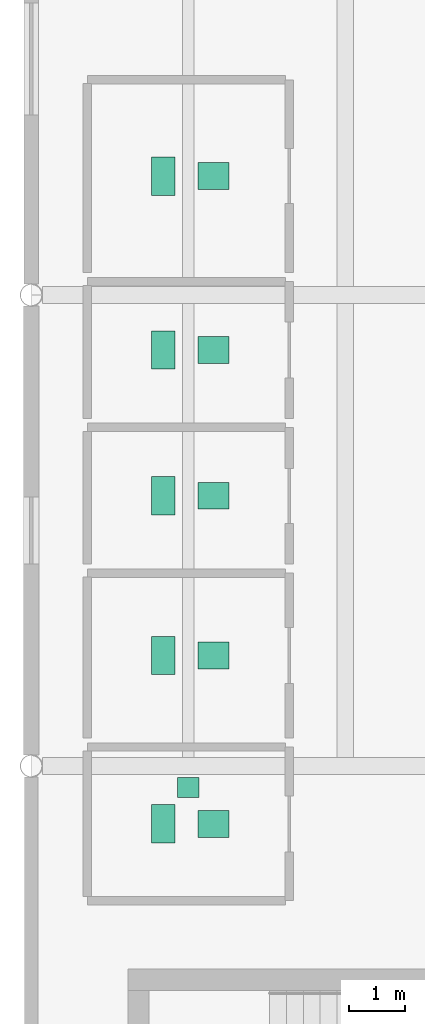
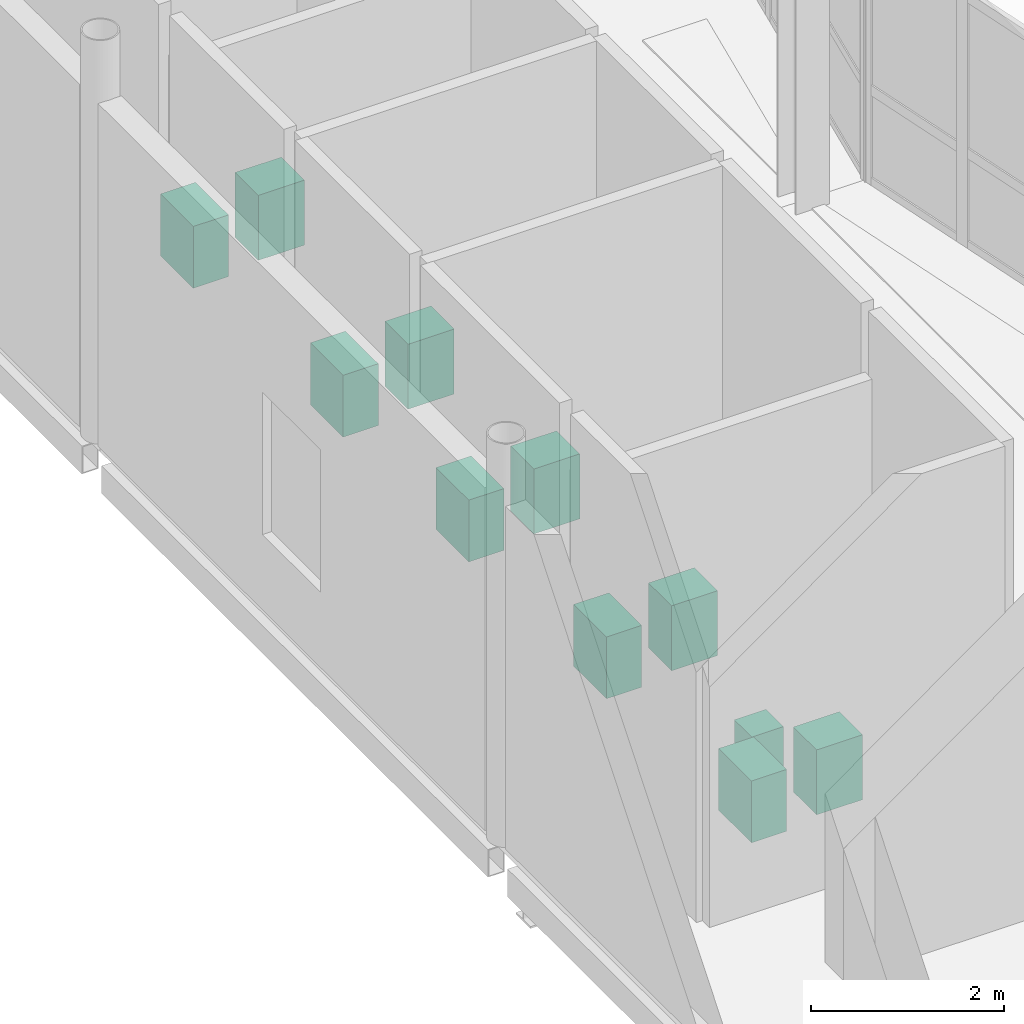
# One storey, part 102 of 103: 11 sanitary terminals.
"""IFC4 building model written with IfcOpenShell, lengths in metres."""

from ifc_helpers import new_model, si_unit, direction, frame, origin, origin_2d, place, context, subcontext, project, spatial, rectangle, extrude, material, type_object, element, save


model = new_model("IFC4")

# Units and contexts
model_context = context("Model", 3, precision=1e-05, world=origin(), true_north=direction((0.0, 1.0)))
body_context = subcontext(model_context, "Body", "Model", "MODEL_VIEW")
ifc_project = project(units=[si_unit("LENGTHUNIT", "METRE"), si_unit("AREAUNIT", "SQUARE_METRE"), si_unit("VOLUMEUNIT", "CUBIC_METRE"), si_unit("PLANEANGLEUNIT", "RADIAN"), si_unit("MASSUNIT", "GRAM", prefix="KILO"), si_unit("THERMODYNAMICTEMPERATUREUNIT", "KELVIN")], contexts=[model_context])

# Site, building, storey
site_placement = place(None, origin())
site = spatial("IfcSite", under=ifc_project, at=site_placement, CompositionType="ELEMENT")
building_placement = place(site_placement, origin())
building = spatial("IfcBuilding", under=site, at=building_placement, Name="Lustrewick Department Store", CompositionType="ELEMENT")
storey_placement = place(building_placement, frame((0.0, 0.0, 16.5)))
storey = spatial("IfcBuildingStorey", under=building, at=storey_placement, Name="L04", CompositionType="ELEMENT", Elevation=16.5)

# Sanitary terminals
ifc_material = material(Name="Glazed white vitreous china sanitaryware", Category="masonry")
sanitary_terminal_type_1 = type_object("IfcSanitaryTerminalType", Name="SAN-URI", PredefinedType="URINAL", material=ifc_material)
sanitary_terminal_placement = place(storey_placement, frame((11.199951171875, 58.419921875, 0.0), z_axis=(0.0, 0.0, 1.0), x_axis=(1.0, 0.0, 0.0)))
element("IfcSanitaryTerminal", 1, at=sanitary_terminal_placement, inside=storey, type_object=sanitary_terminal_type_1, Name="L04 Male Public WC Urinal", PredefinedType="URINAL", context=body_context, shape_type="SweptSolid", body=[
    extrude(rectangle(XDim=0.3798828125, YDim=0.360107421875, at=origin_2d()), origin(), (0.0, 0.0, 1.0), 0.679931640625),
])
sanitary_terminal_type_2 = type_object("IfcSanitaryTerminalType", Name="SAN-WC", PredefinedType="TOILETPAN", material=ifc_material)
for number, where, z_axis, x_axis, name in (
    (2, (10.75, 57.77001953125, 0.0), (0.0, 0.0, 1.0), (1.0, 0.0, 0.0), "L04 Male Public WC WC Pan"),
    (3, (10.75, 60.77001953125, 0.0), (0.0, 0.0, 1.0), (1.0, 0.0, 0.0), "L04 Female Public WC WC Pan"),
    (4, (10.75, 63.6201171875, 0.0), (0.0, 0.0, 1.0), (1.0, 0.0, 0.0), "L04 Accessible WC WC Pan"),
    (5, (10.75, 66.219970703125, 0.0), (0.0, 0.0, 1.0), (1.0, 0.0, 0.0), "L04 Staff WC WC Pan"),
    (6, (10.75, 69.320068359375, 0.0), (0.0, 0.0, 1.0), (1.0, 0.0, 0.0), "L04 Nursery Room WC Pan"),
):
    element("IfcSanitaryTerminal", number, at=place(storey_placement, frame(where, z_axis=z_axis, x_axis=x_axis)), inside=storey, type_object=sanitary_terminal_type_2, Name=name, PredefinedType="TOILETPAN", context=body_context, shape_type="SweptSolid", body=[
        extrude(rectangle(XDim=0.419921875, YDim=0.679931640625, at=origin_2d()), origin(), (0.0, 0.0, 1.0), 0.780029296875),
    ])
sanitary_terminal_type_3 = type_object("IfcSanitaryTerminalType", Name="SAN-WHB", PredefinedType="WASHHANDBASIN", material=ifc_material)
for number, where, z_axis, x_axis, name in (
    (7, (11.64990234375, 57.77001953125, 0.0), (0.0, 0.0, 1.0), (1.0, 0.0, 0.0), "L04 Male Public WC Washbasin"),
    (8, (11.64990234375, 60.77001953125, 0.0), (0.0, 0.0, 1.0), (1.0, 0.0, 0.0), "L04 Female Public WC Washbasin"),
    (9, (11.64990234375, 63.6201171875, 0.0), (0.0, 0.0, 1.0), (1.0, 0.0, 0.0), "L04 Accessible WC Washbasin"),
    (10, (11.64990234375, 66.219970703125, 0.0), (0.0, 0.0, 1.0), (1.0, 0.0, 0.0), "L04 Staff WC Washbasin"),
    (11, (11.64990234375, 69.320068359375, 0.0), (0.0, 0.0, 1.0), (1.0, 0.0, 0.0), "L04 Nursery Room Washbasin"),
):
    element("IfcSanitaryTerminal", number, at=place(storey_placement, frame(where, z_axis=z_axis, x_axis=x_axis)), inside=storey, type_object=sanitary_terminal_type_3, Name=name, PredefinedType="WASHHANDBASIN", context=body_context, shape_type="SweptSolid", body=[
        extrude(rectangle(XDim=0.550048828125, YDim=0.47998046875, at=origin_2d()), origin(), (0.0, 0.0, 1.0), 0.820068359375),
    ])

save(model, "model.ifc")
